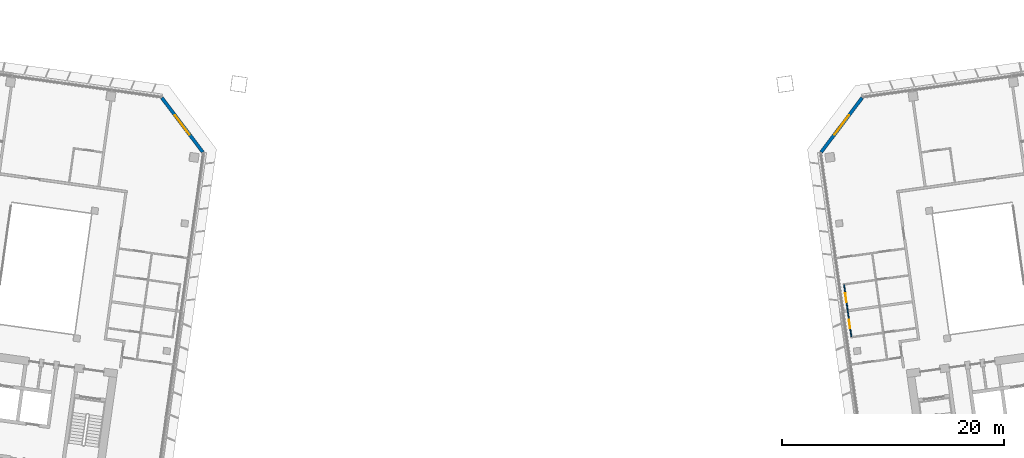
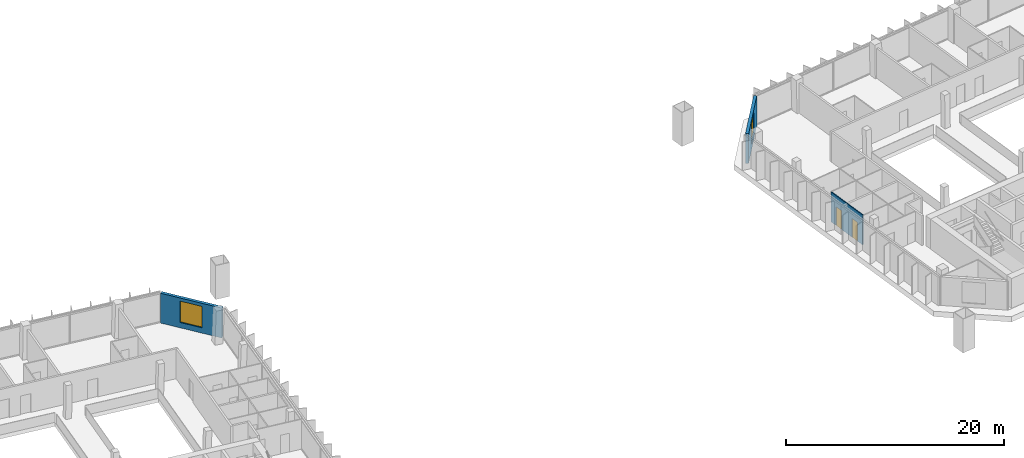
# One storey, part 19 of 26: 3 walls, 2 doors, 2 windows, 4 openings.
"""IFC4 building model written with IfcOpenShell, lengths in metres."""

from ifc_helpers import new_model, si_unit, direction, frame, frame_2d, origin, place, context, subcontext, project, spatial, rectangle, extrude, material, layer, layer_set, type_object, element, fill, save


model = new_model("IFC4")

# Units and contexts
model_context = context("Model", 3, precision=1e-05, world=origin(), true_north=direction((0.0, 1.0)))
body_context = subcontext(model_context, "Body", "Model", "MODEL_VIEW")
ifc_project = project(units=[si_unit("LENGTHUNIT", "METRE"), si_unit("AREAUNIT", "SQUARE_METRE"), si_unit("VOLUMEUNIT", "CUBIC_METRE"), si_unit("PLANEANGLEUNIT", "RADIAN"), si_unit("MASSUNIT", "GRAM", prefix="KILO")], contexts=[model_context])

# Site, building, storey
site_placement = place(None, origin())
site = spatial("IfcSite", under=ifc_project, at=site_placement, CompositionType="ELEMENT")
building_placement = place(site_placement, origin())
building = spatial("IfcBuilding", under=site, at=building_placement, Name="Mirante Cascada Hotel Towers", CompositionType="ELEMENT")
storey_placement = place(building_placement, frame((0.0, 0.0, 168.8)))
storey = spatial("IfcBuildingStorey", under=building, at=storey_placement, Name="L39", CompositionType="ELEMENT", Elevation=168.8)

# Wall, openings, doors
ifc_material_1 = material(Name="Plasterboard on metal studs")
ifc_layer_1 = layer(ifc_material_1, 0.1)
ifc_layer_set_1 = layer_set([ifc_layer_1], Name="Partition 100")
wall_type_1 = type_object("IfcWallType", Name="Partition 100", PredefinedType="PARTITIONING", material=ifc_layer_set_1)
wall_1_placement = place(storey_placement, frame((29.9019, 0.3593, 0.0), z_axis=(0.0, 0.0, 1.0), x_axis=(0.1391691, -0.9902686, 0.0)))
wall_1 = element("IfcWall", 1, at=wall_1_placement, inside=storey, type_object=wall_type_1, Name="Wall 2-L39-25", PredefinedType="PARTITIONING", context=body_context, shape_type="SweptSolid", body=[
    extrude(rectangle(XDim=4.7, YDim=0.1, at=frame_2d((2.35, 0.0))), origin(), (0.0, 0.0, 1.0), 3.35),
])
opening_1_placement = place(wall_1_placement, frame((3.15, 0.0, 0.0)))
opening_1 = element("IfcOpeningElement", 2, at=opening_1_placement, cuts=wall_1, Name="Opening D2-L39-25", PredefinedType="OPENING", context=body_context, shape_type="SweptSolid", body=[
    extrude(rectangle(XDim=0.8, YDim=2.1, at=frame_2d((0.4, 1.05))), frame((0.0, 0.05, 0.0), z_axis=(0.0, -1.0, 0.0), x_axis=(1.0, 0.0, 0.0)), (0.0, 0.0, 1.0), 0.1),
])
opening_2_placement = place(wall_1_placement, frame((0.75, 0.0, 0.0)))
opening_2 = element("IfcOpeningElement", 3, at=opening_2_placement, cuts=wall_1, Name="Opening D2-L39-26", PredefinedType="OPENING", context=body_context, shape_type="SweptSolid", body=[
    extrude(rectangle(XDim=0.8, YDim=2.1, at=frame_2d((0.4, 1.05))), frame((0.0, 0.05, 0.0), z_axis=(0.0, -1.0, 0.0), x_axis=(1.0, 0.0, 0.0)), (0.0, 0.0, 1.0), 0.1),
])
ifc_material_2 = material(Name="Timber door leaf", Category="wood")
door_type = type_object("IfcDoorType", Name="Bathroom door DG4 800x2100", OperationType="SINGLE_SWING_LEFT", PredefinedType="DOOR", material=ifc_material_2)
door_1_placement = place(opening_1_placement, origin())
door_1 = element("IfcDoor", 4, at=door_1_placement, inside=storey, type_object=door_type, Name="Door D2-L39-25", OperationType="SINGLE_SWING_LEFT", OverallHeight=2.1, OverallWidth=0.8, PredefinedType="DOOR", context=body_context, shape_type="SweptSolid", body=[
    extrude(rectangle(XDim=0.8, YDim=2.1, at=frame_2d((0.4, 1.05))), frame((0.0, 0.025, 0.0), z_axis=(0.0, -1.0, 0.0), x_axis=(1.0, 0.0, 0.0)), (0.0, 0.0, 1.0), 0.05),
])
fill(opening_1, door_1)
door_2_placement = place(opening_2_placement, origin())
door_2 = element("IfcDoor", 5, at=door_2_placement, inside=storey, type_object=door_type, Name="Door D2-L39-26", OperationType="SINGLE_SWING_LEFT", OverallHeight=2.1, OverallWidth=0.8, PredefinedType="DOOR", context=body_context, shape_type="SweptSolid", body=[
    extrude(rectangle(XDim=0.8, YDim=2.1, at=frame_2d((0.4, 1.05))), frame((0.0, 0.025, 0.0), z_axis=(0.0, -1.0, 0.0), x_axis=(1.0, 0.0, 0.0)), (0.0, 0.0, 1.0), 0.05),
])
fill(opening_2, door_2)

# Wall, opening, window
ifc_material_3 = material(Name="Precast concrete C40/50", Category="concrete")
ifc_layer_2 = layer(ifc_material_3, 0.3)
ifc_layer_set_2 = layer_set([ifc_layer_2], Name="Precast concrete C40/50 cladding wall 300")
wall_type_2 = type_object("IfcWallType", Name="Precast concrete C40/50 cladding wall 300", PredefinedType="STANDARD", material=ifc_layer_set_2)
wall_2_placement = place(storey_placement, frame((-31.5226, 17.205, 0.0), z_axis=(0.0, 0.0, 1.0), x_axis=(0.6018141, -0.7986362, 0.0)))
wall_2 = element("IfcWall", 6, at=wall_2_placement, inside=storey, type_object=wall_type_2, Name="Corner cladding wall T1 L39 front inner", PredefinedType="STANDARD", context=body_context, shape_type="SweptSolid", body=[
    extrude(rectangle(XDim=6.1157, YDim=0.3, at=frame_2d((3.0578, 0.0))), origin(), (0.0, 0.0, 1.0), 3.35),
])
opening_3_placement = place(wall_2_placement, frame((1.9578, 0.0, 0.6)))
opening_3 = element("IfcOpeningElement", 7, at=opening_3_placement, cuts=wall_2, Name="Opening W1-39-03", PredefinedType="OPENING", context=body_context, shape_type="SweptSolid", body=[
    extrude(rectangle(XDim=2.2, YDim=2.4, at=frame_2d((1.1, 1.2))), frame((0.0, 0.15, 0.0), z_axis=(0.0, -1.0, 0.0), x_axis=(1.0, 0.0, 0.0)), (0.0, 0.0, 1.0), 0.3),
])
ifc_material_4 = material(Name="Aluminium frame with clear double glazing", Category="aluminium")
window_type = type_object("IfcWindowType", Name="Corner suite window 2200x2400", PartitioningType="DOUBLE_PANEL_VERTICAL", PredefinedType="WINDOW", material=ifc_material_4)
window_1_placement = place(opening_3_placement, origin())
window_1 = element("IfcWindow", 8, at=window_1_placement, inside=storey, type_object=window_type, Name="Window W1-39-03", OverallHeight=2.4, OverallWidth=2.2, PartitioningType="SINGLE_PANEL", PredefinedType="WINDOW", context=body_context, shape_type="SweptSolid", body=[
    extrude(rectangle(XDim=2.2, YDim=2.4, at=frame_2d((1.1, 1.2))), frame((0.0, 0.03, 0.0), z_axis=(0.0, -1.0, 0.0), x_axis=(1.0, 0.0, 0.0)), (0.0, 0.0, 1.0), 0.06),
])
fill(opening_3, window_1)

wall_3_placement = place(storey_placement, frame((31.5226, 17.205, 0.0), z_axis=(0.0, 0.0, 1.0), x_axis=(-0.6018141, -0.7986362, 0.0)))
wall_3 = element("IfcWall", 9, at=wall_3_placement, inside=storey, type_object=wall_type_2, Name="Corner cladding wall T2 L39 front inner", PredefinedType="STANDARD", context=body_context, shape_type="SweptSolid", body=[
    extrude(rectangle(XDim=6.1157, YDim=0.3, at=frame_2d((3.0578, 0.0))), origin(), (0.0, 0.0, 1.0), 3.35),
])
opening_4_placement = place(wall_3_placement, frame((1.9578, 0.0, 0.6)))
opening_4 = element("IfcOpeningElement", 10, at=opening_4_placement, cuts=wall_3, Name="Opening W2-39-03", PredefinedType="OPENING", context=body_context, shape_type="SweptSolid", body=[
    extrude(rectangle(XDim=2.2, YDim=2.4, at=frame_2d((1.1, 1.2))), frame((0.0, 0.15, 0.0), z_axis=(0.0, -1.0, 0.0), x_axis=(1.0, 0.0, 0.0)), (0.0, 0.0, 1.0), 0.3),
])
window_2_placement = place(opening_4_placement, origin())
window_2 = element("IfcWindow", 11, at=window_2_placement, inside=storey, type_object=window_type, Name="Window W2-39-03", OverallHeight=2.4, OverallWidth=2.2, PartitioningType="SINGLE_PANEL", PredefinedType="WINDOW", context=body_context, shape_type="SweptSolid", body=[
    extrude(rectangle(XDim=2.2, YDim=2.4, at=frame_2d((1.1, 1.2))), frame((0.0, 0.03, 0.0), z_axis=(0.0, -1.0, 0.0), x_axis=(1.0, 0.0, 0.0)), (0.0, 0.0, 1.0), 0.06),
])
fill(opening_4, window_2)

save(model, "model.ifc")
